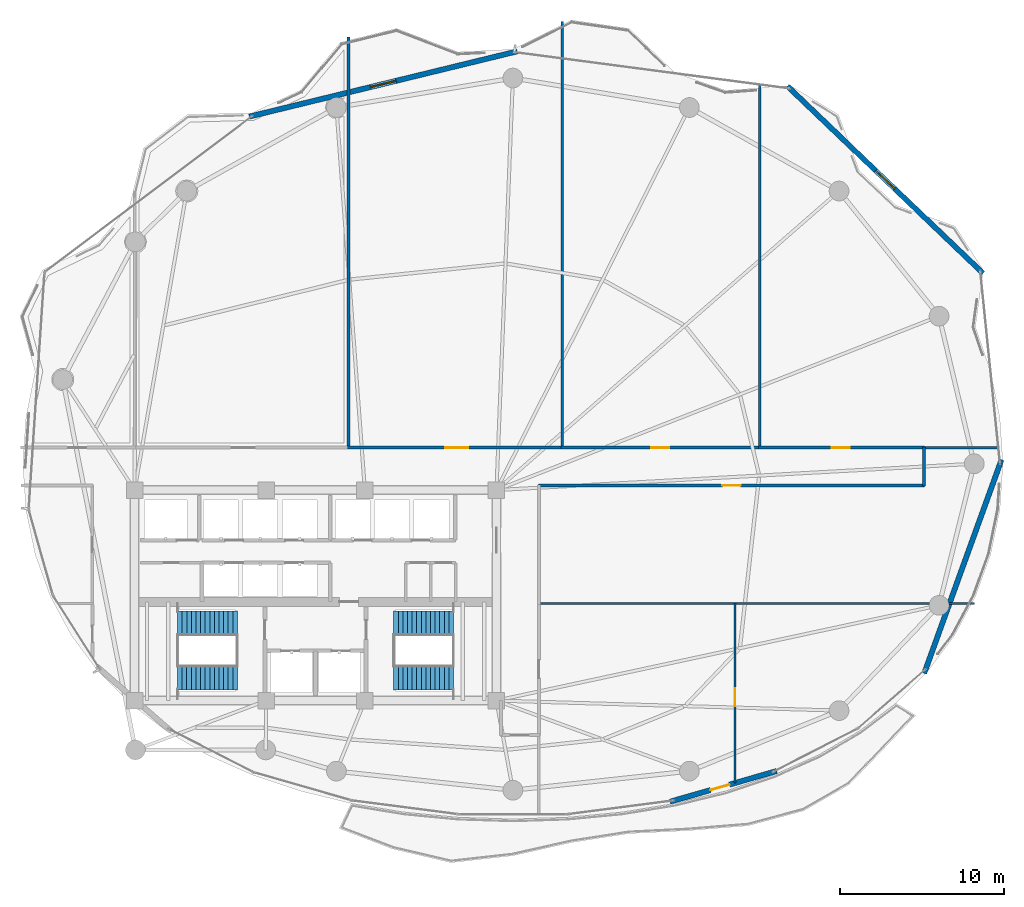
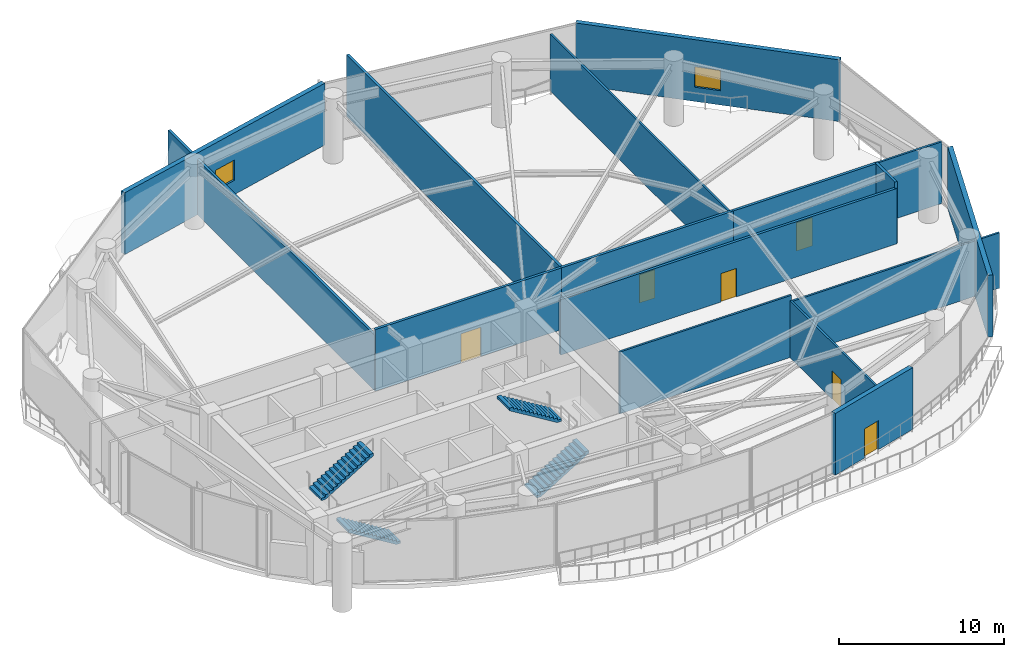
# One storey, part 26 of 30: 16 walls, 6 doors, 4 stair flights, 2 windows, 8 openings, 2 elements without a shape of their own.
"""IFC4 building model written with IfcOpenShell, lengths in metres."""

from ifc_helpers import new_model, si_unit, direction, frame, frame_2d, origin, place, context, subcontext, project, spatial, polyline, rectangle, outline, extrude, material, layer, layer_set, type_object, element, fill, aggregate, save


model = new_model("IFC4")

# Units and contexts
model_context = context("Model", 3, precision=1e-05, world=origin(), true_north=direction((0.0, 1.0)))
body_context = subcontext(model_context, "Body", "Model", "MODEL_VIEW")
ifc_project = project(units=[si_unit("LENGTHUNIT", "METRE"), si_unit("AREAUNIT", "SQUARE_METRE"), si_unit("VOLUMEUNIT", "CUBIC_METRE"), si_unit("PLANEANGLEUNIT", "RADIAN"), si_unit("MASSUNIT", "GRAM", prefix="KILO")], contexts=[model_context])

# Site, building, storey
site_placement = place(None, origin())
site = spatial("IfcSite", under=ifc_project, at=site_placement, CompositionType="ELEMENT")
building_placement = place(site_placement, origin())
building = spatial("IfcBuilding", under=site, at=building_placement, Name="Kazevale Care Tower and Concert Hall", CompositionType="ELEMENT")
storey_placement = place(building_placement, frame((0.0, 0.0, 97.800048828125)))
storey = spatial("IfcBuildingStorey", under=building, at=storey_placement, Name="L25", CompositionType="ELEMENT", Elevation=97.800048828125)

# Walls
ifc_material_1 = material(Name="Acoustic Gypsum on Steel Stud", Category="steel")
ifc_layer_1 = layer(ifc_material_1, 0.139892578125)
ifc_layer_set_1 = layer_set([ifc_layer_1], Name="Acoustic Gypsum on Steel Stud")
wall_type_1 = type_object("IfcWallType", Name="Acoustic Care & Suite Partition 140", PredefinedType="PARTITIONING", material=ifc_layer_set_1)
wall_1_placement = place(storey_placement, frame((60.0, 61.052001953125, 0.0), z_axis=(0.0, 0.0, 1.0), x_axis=(0.0, -1.0, 0.0)))
element("IfcWall", 1, at=wall_1_placement, inside=storey, type_object=wall_type_1, Name="wall:L25:auto_018", PredefinedType="PARTITIONING", context=body_context, shape_type="SweptSolid", body=[
    extrude(rectangle(XDim=22.10693359375, YDim=0.139892578125, at=frame_2d((11.053466796875, 0.0))), origin(), (0.0, 0.0, 1.0), 4.196044921875),
])
wall_2_placement = place(storey_placement, frame((74.51025390625, 38.97509765625, 0.0), z_axis=(0.0, 0.0, 1.0), x_axis=(-1.0, 0.0, 0.0)))
element("IfcWall", 2, at=wall_2_placement, inside=storey, type_object=wall_type_1, Name="wall:L25:auto_019", PredefinedType="PARTITIONING", context=body_context, shape_type="SweptSolid", body=[
    extrude(rectangle(XDim=4.5751953125, YDim=0.139892578125, at=frame_2d((2.28759765625, 0.0))), origin(), (0.0, 0.0, 1.0), 4.56005859375),
])
wall_3_placement = place(storey_placement, frame((46.544921875, 29.5, 0.0), z_axis=(0.0, 0.0, 1.0), x_axis=(1.0, 0.0, 0.0)))
element("IfcWall", 3, at=wall_3_placement, inside=storey, type_object=wall_type_1, Name="wall:L25:auto_020", PredefinedType="PARTITIONING", context=body_context, shape_type="SweptSolid", body=[
    extrude(rectangle(XDim=11.985107421875, YDim=0.139892578125, at=frame_2d((5.99267578125, 0.0))), origin(), (0.0, 0.0, 1.0), 4.56005859375),
])

# Wall, opening, door
wall_4_placement = place(storey_placement, frame((58.5, 29.530029296875, 0.0), z_axis=(0.0, 0.0, 1.0), x_axis=(0.0, -1.0, 0.0)))
wall_4 = element("IfcWall", 4, at=wall_4_placement, inside=storey, type_object=wall_type_1, Name="wall:L25:auto_021", PredefinedType="PARTITIONING", context=body_context, shape_type="SweptSolid", body=[
    extrude(rectangle(XDim=10.93310546875, YDim=0.139892578125, at=frame_2d((5.466552734375, 0.0))), origin(), (0.0, 0.0, 1.0), 4.196044921875),
])
opening_1_placement = place(wall_4_placement, frame((5.1650390625, 0.0, 0.0)))
opening_1 = element("IfcOpeningElement", 5, at=opening_1_placement, cuts=wall_4, Name="Opening ID-1100", PredefinedType="OPENING", context=body_context, shape_type="SweptSolid", body=[
    extrude(rectangle(XDim=1.10009765625, YDim=2.10009765625, at=frame_2d((0.550048828125, 1.050048828125))), frame((0.0, 0.079833984375, 0.0), z_axis=(0.0, -1.0, 0.0), x_axis=(1.0, 0.0, 0.0)), (0.0, 0.0, 1.0), 0.159912109375),
])
ifc_material_2 = material(Name="Oak Timber Fire Leaf", Category="wood")
door_type_1 = type_object("IfcDoorType", Name="Care Bedroom Accessible Door 1100x2100", OperationType="NOTDEFINED", PredefinedType="DOOR", material=ifc_material_2)
door_1_placement = place(opening_1_placement, origin())
door_1 = element("IfcDoor", 6, at=door_1_placement, inside=storey, type_object=door_type_1, Name="door:L25:ad_021", OperationType="SINGLE_SWING_LEFT", OverallHeight=2.10009765625, OverallWidth=1.10009765625, PredefinedType="DOOR", context=body_context, shape_type="SweptSolid", body=[
    extrude(rectangle(XDim=1.10009765625, YDim=2.10009765625, at=frame_2d((0.550048828125, 1.050048828125))), frame((0.0, 0.02490234375, 0.0), z_axis=(0.0, -1.0, 0.0), x_axis=(1.0, 0.0, 0.0)), (0.0, 0.0, 1.0), 0.050048828125),
])
fill(opening_1, door_1)

# Wall
wall_5_placement = place(storey_placement, frame((73.072998046875, 29.5, 0.0), z_axis=(0.0, 0.0, 1.0), x_axis=(-1.0, 0.0, 0.0)))
element("IfcWall", 7, at=wall_5_placement, inside=storey, type_object=wall_type_1, Name="wall:L25:auto_023", PredefinedType="PARTITIONING", context=body_context, shape_type="SweptSolid", body=[
    extrude(rectangle(XDim=14.637939453125, YDim=0.139892578125, at=frame_2d((7.31884765625, 0.0))), origin(), (0.0, 0.0, 1.0), 4.08984375),
])

# Wall, opening, door
ifc_material_3 = material(Name="Concrete C40 and Acoustic Gypsum", Category="concrete")
ifc_layer_2 = layer(ifc_material_3, 0.179931640625)
ifc_layer_set_2 = layer_set([ifc_layer_2], Name="Concrete C40 and Acoustic Gypsum")
wall_type_2 = type_object("IfcWallType", Name="Fire-Rated Corridor & Party Wall 180", PredefinedType="PARTITIONING", material=ifc_layer_set_2)
wall_6_placement = place(storey_placement, frame((34.93505859375, 38.97509765625, 0.0), z_axis=(0.0, 0.0, 1.0), x_axis=(1.0, 0.0, 0.0)))
wall_6 = element("IfcWall", 8, at=wall_6_placement, inside=storey, type_object=wall_type_2, Name="wall:L25:auto_003", PredefinedType="PARTITIONING", context=body_context, shape_type="SweptSolid", body=[
    extrude(rectangle(XDim=13.1298828125, YDim=0.179931640625, at=frame_2d((6.56494140625, 0.0))), origin(), (0.0, 0.0, 1.0), 4.56005859375),
])
opening_2_placement = place(wall_6_placement, frame((5.965087890625, 0.0, 0.0)))
opening_2 = element("IfcOpeningElement", 9, at=opening_2_placement, cuts=wall_6, Name="Opening ID-1400D", PredefinedType="OPENING", context=body_context, shape_type="SweptSolid", body=[
    extrude(rectangle(XDim=1.39990234375, YDim=2.14990234375, at=frame_2d((0.699951171875, 1.074951171875))), frame((0.0, 0.099853515625, 0.0), z_axis=(0.0, -1.0, 0.0), x_axis=(1.0, 0.0, 0.0)), (0.0, 0.0, 1.0), 0.199951171875),
])
door_type_2 = type_object("IfcDoorType", Name="Double Lounge & Clinic Door 1400x2150", OperationType="NOTDEFINED", PredefinedType="DOOR", material=ifc_material_2)
door_2_placement = place(opening_2_placement, origin())
door_2 = element("IfcDoor", 10, at=door_2_placement, inside=storey, type_object=door_type_2, Name="door:L25:ad_003", OperationType="SINGLE_SWING_LEFT", OverallHeight=2.14990234375, OverallWidth=1.39990234375, PredefinedType="DOOR", context=body_context, shape_type="SweptSolid", body=[
    extrude(rectangle(XDim=1.39990234375, YDim=2.14990234375, at=frame_2d((0.699951171875, 1.074951171875))), frame((0.0, 0.02490234375, 0.0), z_axis=(0.0, -1.0, 0.0), x_axis=(1.0, 0.0, 0.0)), (0.0, 0.0, 1.0), 0.050048828125),
])
fill(opening_2, door_2)

wall_7_placement = place(storey_placement, frame((47.93505859375, 38.97509765625, 0.0), z_axis=(0.0, 0.0, 1.0), x_axis=(1.0, 0.0, 0.0)))
wall_7 = element("IfcWall", 11, at=wall_7_placement, inside=storey, type_object=wall_type_2, Name="wall:L25:auto_004", PredefinedType="PARTITIONING", context=body_context, shape_type="SweptSolid", body=[
    extrude(rectangle(XDim=12.1298828125, YDim=0.179931640625, at=frame_2d((6.06494140625, 0.0))), origin(), (0.0, 0.0, 1.0), 4.56005859375),
])
opening_3_placement = place(wall_7_placement, frame((5.465087890625, 0.0, 0.0)))
opening_3 = element("IfcOpeningElement", 12, at=opening_3_placement, cuts=wall_7, Name="Opening ID-1100", PredefinedType="OPENING", context=body_context, shape_type="SweptSolid", body=[
    extrude(rectangle(XDim=1.10009765625, YDim=2.10009765625, at=frame_2d((0.550048828125, 1.050048828125))), frame((0.0, 0.099853515625, 0.0), z_axis=(0.0, -1.0, 0.0), x_axis=(1.0, 0.0, 0.0)), (0.0, 0.0, 1.0), 0.199951171875),
])
door_3_placement = place(opening_3_placement, origin())
door_3 = element("IfcDoor", 13, at=door_3_placement, inside=storey, type_object=door_type_1, Name="door:L25:ad_004", OperationType="SINGLE_SWING_LEFT", OverallHeight=2.10009765625, OverallWidth=1.10009765625, PredefinedType="DOOR", context=body_context, shape_type="SweptSolid", body=[
    extrude(rectangle(XDim=1.10009765625, YDim=2.10009765625, at=frame_2d((0.550048828125, 1.050048828125))), frame((0.0, 0.02490234375, 0.0), z_axis=(0.0, -1.0, 0.0), x_axis=(1.0, 0.0, 0.0)), (0.0, 0.0, 1.0), 0.050048828125),
])
fill(opening_3, door_3)

wall_8_placement = place(storey_placement, frame((59.93505859375, 38.97509765625, 0.0), z_axis=(0.0, 0.0, 1.0), x_axis=(1.0, 0.0, 0.0)))
wall_8 = element("IfcWall", 14, at=wall_8_placement, inside=storey, type_object=wall_type_2, Name="wall:L25:auto_005", PredefinedType="PARTITIONING", context=body_context, shape_type="SweptSolid", body=[
    extrude(rectangle(XDim=10.094970703125, YDim=0.179931640625, at=frame_2d((5.04736328125, 0.0))), origin(), (0.0, 0.0, 1.0), 4.56005859375),
])
opening_4_placement = place(wall_8_placement, frame((4.447998046875, 0.0, 0.0)))
opening_4 = element("IfcOpeningElement", 15, at=opening_4_placement, cuts=wall_8, Name="Opening ID-1100", PredefinedType="OPENING", context=body_context, shape_type="SweptSolid", body=[
    extrude(rectangle(XDim=1.10009765625, YDim=2.10009765625, at=frame_2d((0.550048828125, 1.050048828125))), frame((0.0, 0.099853515625, 0.0), z_axis=(0.0, -1.0, 0.0), x_axis=(1.0, 0.0, 0.0)), (0.0, 0.0, 1.0), 0.199951171875),
])
door_4_placement = place(opening_4_placement, origin())
door_4 = element("IfcDoor", 16, at=door_4_placement, inside=storey, type_object=door_type_1, Name="door:L25:ad_005", OperationType="SINGLE_SWING_LEFT", OverallHeight=2.10009765625, OverallWidth=1.10009765625, PredefinedType="DOOR", context=body_context, shape_type="SweptSolid", body=[
    extrude(rectangle(XDim=1.10009765625, YDim=2.10009765625, at=frame_2d((0.550048828125, 1.050048828125))), frame((0.0, 0.02490234375, 0.0), z_axis=(0.0, -1.0, 0.0), x_axis=(1.0, 0.0, 0.0)), (0.0, 0.0, 1.0), 0.050048828125),
])
fill(opening_4, door_4)

wall_9_placement = place(storey_placement, frame((70.030029296875, 36.675048828125, 0.0), z_axis=(0.0, 0.0, 1.0), x_axis=(-1.0, 0.0, 0.0)))
wall_9 = element("IfcWall", 17, at=wall_9_placement, inside=storey, type_object=wall_type_2, Name="wall:L25:auto_007", PredefinedType="PARTITIONING", context=body_context, shape_type="SweptSolid", body=[
    extrude(rectangle(XDim=23.485107421875, YDim=0.179931640625, at=frame_2d((11.74267578125, 0.0))), origin(), (0.0, 0.0, 1.0), 4.08984375),
])
opening_5_placement = place(wall_9_placement, frame((11.19189453125, 0.0, 0.0)))
opening_5 = element("IfcOpeningElement", 18, at=opening_5_placement, cuts=wall_9, Name="Opening ID-1100", PredefinedType="OPENING", context=body_context, shape_type="SweptSolid", body=[
    extrude(rectangle(XDim=1.10009765625, YDim=2.10009765625, at=frame_2d((0.550048828125, 1.050048828125))), frame((0.0, 0.099853515625, 0.0), z_axis=(0.0, -1.0, 0.0), x_axis=(1.0, 0.0, 0.0)), (0.0, 0.0, 1.0), 0.199951171875),
])
door_5_placement = place(opening_5_placement, origin())
door_5 = element("IfcDoor", 19, at=door_5_placement, inside=storey, type_object=door_type_1, Name="door:L25:ad_007", OperationType="SINGLE_SWING_LEFT", OverallHeight=2.10009765625, OverallWidth=1.10009765625, PredefinedType="DOOR", context=body_context, shape_type="SweptSolid", body=[
    extrude(rectangle(XDim=1.10009765625, YDim=2.10009765625, at=frame_2d((0.550048828125, 1.050048828125))), frame((0.0, 0.02490234375, 0.0), z_axis=(0.0, -1.0, 0.0), x_axis=(1.0, 0.0, 0.0)), (0.0, 0.0, 1.0), 0.050048828125),
])
fill(opening_5, door_5)

# Walls
wall_10_placement = place(storey_placement, frame((70.0, 39.0048828125, 0.0), z_axis=(0.0, 0.0, 1.0), x_axis=(0.0, -1.0, 0.0)))
element("IfcWall", 20, at=wall_10_placement, inside=storey, type_object=wall_type_2, Name="wall:L25:auto_009", PredefinedType="PARTITIONING", context=body_context, shape_type="SweptSolid", body=[
    extrude(rectangle(XDim=2.35986328125, YDim=0.179931640625, at=frame_2d((1.179931640625, 0.0))), origin(), (0.0, 0.0, 1.0), 4.56005859375),
])
wall_11_placement = place(storey_placement, frame((35.0, 63.94091796875, 0.0), z_axis=(0.0, 0.0, 1.0), x_axis=(0.0, -1.0, 0.0)))
element("IfcWall", 21, at=wall_11_placement, inside=storey, type_object=wall_type_2, Name="wall:L25:auto_016", PredefinedType="PARTITIONING", context=body_context, shape_type="SweptSolid", body=[
    extrude(rectangle(XDim=24.995849609375, YDim=0.179931640625, at=frame_2d((12.498046875, 0.0))), origin(), (0.0, 0.0, 1.0), 4.08984375),
])
wall_12_placement = place(storey_placement, frame((48.0, 64.8798828125, 0.0), z_axis=(0.0, 0.0, 1.0), x_axis=(0.0, -1.0, 0.0)))
element("IfcWall", 22, at=wall_12_placement, inside=storey, type_object=wall_type_2, Name="wall:L25:auto_017", PredefinedType="PARTITIONING", context=body_context, shape_type="SweptSolid", body=[
    extrude(rectangle(XDim=25.934814453125, YDim=0.179931640625, at=frame_2d((12.96728515625, 0.0))), origin(), (0.0, 0.0, 1.0), 4.56005859375),
])
ifc_material_4 = material(Name="Concrete C40 with Honed Limestone Cladding", Category="masonry")
ifc_layer_3 = layer(ifc_material_4, 0.320068359375)
ifc_layer_set_3 = layer_set([ifc_layer_3], Name="Concrete C40 with Honed Limestone Cladding")
wall_type_3 = type_object("IfcWallType", Name="Tower Honed Limestone Spandrel Wall 320", PredefinedType="STANDARD", material=ifc_layer_set_3)
wall_13_placement = place(storey_placement, frame((74.7080078125, 38.243896484375, 0.0), z_axis=(0.0, 0.0, 1.0), x_axis=(-0.340324669139, -0.94030799187, 0.0)))
element("IfcWall", 23, at=wall_13_placement, inside=storey, type_object=wall_type_3, Name="wall:cw:L25:f01", PredefinedType="STANDARD", context=body_context, shape_type="SweptSolid", body=[
    extrude(rectangle(XDim=13.810302734375, YDim=0.320068359375, at=frame_2d((6.9052734375, 0.0))), origin(), (0.0, 0.0, 1.0), 4.56005859375),
])

# Wall, opening, door
wall_14_placement = place(storey_placement, frame((61.0390625, 19.31689453125, 0.0), z_axis=(0.0, 0.0, 1.0), x_axis=(-0.96106509915, -0.276322049784, 0.0)))
wall_14 = element("IfcWall", 24, at=wall_14_placement, inside=storey, type_object=wall_type_3, Name="wall:L25:bal_host", PredefinedType="STANDARD", context=body_context, shape_type="SweptSolid", body=[
    extrude(rectangle(XDim=6.745849609375, YDim=0.320068359375, at=frame_2d((3.373046875, 0.0))), origin(), (0.0, 0.0, 1.0), 4.56005859375),
])
opening_6_placement = place(wall_14_placement, frame((2.992919921875, 0.0, 0.0)))
opening_6 = element("IfcOpeningElement", 25, at=opening_6_placement, cuts=wall_14, Name="Opening BD-1200", PredefinedType="OPENING", context=body_context, shape_type="SweptSolid", body=[
    extrude(rectangle(XDim=1.199951171875, YDim=2.14990234375, at=frame_2d((0.60009765625, 1.074951171875))), frame((0.0, 0.169921875, 0.0), z_axis=(0.0, -1.0, 0.0), x_axis=(1.0, 0.0, 0.0)), (0.0, 0.0, 1.0), 0.340087890625),
])
ifc_material_5 = material(Name="Aluminium 6063-T6 and Low-E Glass", Category="aluminium")
door_type_3 = type_object("IfcDoorType", Name="Sheltered Balcony Glazed Door 1200x2150", OperationType="NOTDEFINED", PredefinedType="DOOR", material=ifc_material_5)
door_6_placement = place(opening_6_placement, origin())
door_6 = element("IfcDoor", 26, at=door_6_placement, inside=storey, type_object=door_type_3, Name="door:L25:BD-1", OperationType="SINGLE_SWING_LEFT", OverallHeight=2.14990234375, OverallWidth=1.199951171875, PredefinedType="DOOR", context=body_context, shape_type="SweptSolid", body=[
    extrude(rectangle(XDim=1.199951171875, YDim=2.14990234375, at=frame_2d((0.60009765625, 1.074951171875))), frame((0.0, 0.02490234375, 0.0), z_axis=(0.0, -1.0, 0.0), x_axis=(1.0, 0.0, 0.0)), (0.0, 0.0, 1.0), 0.050048828125),
])
fill(opening_6, door_6)

# Wall, opening, window
wall_15_placement = place(storey_placement, frame((28.97412109375, 59.10693359375, 0.0), z_axis=(0.0, 0.0, 1.0), x_axis=(0.971593971582, 0.236654081699, 0.0)))
wall_15 = element("IfcWall", 27, at=wall_15_placement, inside=storey, type_object=wall_type_3, Name="wall:L25:cbox:15", PredefinedType="STANDARD", context=body_context, shape_type="SweptSolid", body=[
    extrude(rectangle(XDim=16.762939453125, YDim=0.320068359375, at=frame_2d((8.38134765625, 0.0))), origin(), (0.0, 0.0, 1.0), 4.56005859375),
])
opening_7_placement = place(wall_15_placement, frame((7.5810546875, 0.0, 1.050048828125)))
opening_7 = element("IfcOpeningElement", 28, at=opening_7_placement, cuts=wall_15, Name="Opening WIN-1", PredefinedType="OPENING", context=body_context, shape_type="SweptSolid", body=[
    extrude(rectangle(XDim=1.60009765625, YDim=1.5, at=frame_2d((0.800048828125, 0.75))), frame((0.0, 0.169921875, 0.0), z_axis=(0.0, -1.0, 0.0), x_axis=(1.0, 0.0, 0.0)), (0.0, 0.0, 1.0), 0.340087890625),
])
ifc_material_6 = material(Name="Low-E Laminated Glass", Category="glass")
window_type = type_object("IfcWindowType", Name="Convex Box Deep-Set Window 1600x1500", PartitioningType="DOUBLE_PANEL_VERTICAL", PredefinedType="WINDOW", material=ifc_material_6)
window_1_placement = place(opening_7_placement, origin())
window_1 = element("IfcWindow", 29, at=window_1_placement, inside=storey, type_object=window_type, Name="win:L25:cbox:15", OverallHeight=1.5, OverallWidth=1.60009765625, PartitioningType="SINGLE_PANEL", PredefinedType="WINDOW", context=body_context, shape_type="SweptSolid", body=[
    extrude(rectangle(XDim=1.60009765625, YDim=1.5, at=frame_2d((0.800048828125, 0.75))), frame((0.0, 0.030029296875, 0.0), z_axis=(0.0, -1.0, 0.0), x_axis=(1.0, 0.0, 0.0)), (0.0, 0.0, 1.0), 0.06005859375),
])
fill(opening_7, window_1)

wall_16_placement = place(storey_placement, frame((61.68896484375, 60.95703125, 0.0), z_axis=(0.0, 0.0, 1.0), x_axis=(0.722641212534, -0.691223319881, 0.0)))
wall_16 = element("IfcWall", 30, at=wall_16_placement, inside=storey, type_object=wall_type_3, Name="wall:L25:cbox:17", PredefinedType="STANDARD", context=body_context, shape_type="SweptSolid", body=[
    extrude(rectangle(XDim=16.45068359375, YDim=0.320068359375, at=frame_2d((8.225341796875, 0.0))), origin(), (0.0, 0.0, 1.0), 4.56005859375),
])
opening_8_placement = place(wall_16_placement, frame((7.425048828125, 0.0, 1.050048828125)))
opening_8 = element("IfcOpeningElement", 31, at=opening_8_placement, cuts=wall_16, Name="Opening WIN-1", PredefinedType="OPENING", context=body_context, shape_type="SweptSolid", body=[
    extrude(rectangle(XDim=1.60009765625, YDim=1.5, at=frame_2d((0.800048828125, 0.75))), frame((0.0, 0.169921875, 0.0), z_axis=(0.0, -1.0, 0.0), x_axis=(1.0, 0.0, 0.0)), (0.0, 0.0, 1.0), 0.340087890625),
])
window_2_placement = place(opening_8_placement, origin())
window_2 = element("IfcWindow", 32, at=window_2_placement, inside=storey, type_object=window_type, Name="win:L25:cbox:17", OverallHeight=1.5, OverallWidth=1.60009765625, PartitioningType="SINGLE_PANEL", PredefinedType="WINDOW", context=body_context, shape_type="SweptSolid", body=[
    extrude(rectangle(XDim=1.60009765625, YDim=1.5, at=frame_2d((0.800048828125, 0.75))), frame((0.0, 0.030029296875, 0.0), z_axis=(0.0, -1.0, 0.0), x_axis=(1.0, 0.0, 0.0)), (0.0, 0.0, 1.0), 0.06005859375),
])
fill(opening_8, window_2)

# Stair, stair flights
ifc_material_7 = material(Name="Concrete C40", Category="concrete")
stair_type = type_object("IfcStairType", Name="Exit Stair Assembly ST1-S", PredefinedType="HALF_TURN_STAIR", material=ifc_material_7)
stair_1_placement = place(storey_placement, origin())
stair_1 = element("IfcStair", 33, at=stair_1_placement, inside=storey, type_object=stair_type, Name="stair:L25:ST1", PredefinedType="HALF_TURN_STAIR")
ifc_layer_4 = layer(ifc_material_7, 0.159912109375)
ifc_layer_set_4 = layer_set([ifc_layer_4], Name="Concrete C40")
stair_flight_type = type_object("IfcStairFlightType", Name="Exit Stair Flight ST1-S", PredefinedType="STRAIGHT", material=ifc_layer_set_4)
stair_flight_1_placement = place(storey_placement, frame((28.25, 24.9951171875, 0.0), z_axis=(0.0, 0.0, 1.0), x_axis=(-1.0, 0.0, 0.0)))
stair_flight_1 = element("IfcStairFlight", 34, at=stair_flight_1_placement, type_object=stair_flight_type, Name="ST1-S flight 1", NumberOfRisers=14, NumberOfTreads=13, PredefinedType="STRAIGHT", RiserHeight=0.171429, TreadLength=0.28, context=body_context, shape_type="SweptSolid", body=[
    extrude(outline(polyline([(0.0, 0.0), (0.0, 0.17138671875), (0.280029296875, 0.17138671875), (0.280029296875, 0.3427734375), (0.56005859375, 0.3427734375), (0.56005859375, 0.514404296875), (0.840087890625, 0.514404296875), (0.840087890625, 0.685791015625), (1.1201171875, 0.685791015625), (1.1201171875, 0.857177734375), (1.39990234375, 0.857177734375), (1.39990234375, 1.028564453125), (1.679931640625, 1.028564453125), (1.679931640625, 1.199951171875), (1.9599609375, 1.199951171875), (1.9599609375, 1.371337890625), (2.239990234375, 1.371337890625), (2.239990234375, 1.54296875), (2.52001953125, 1.54296875), (2.52001953125, 1.71435546875), (2.800048828125, 1.71435546875), (2.800048828125, 1.8857421875), (3.080078125, 1.8857421875), (3.080078125, 2.05712890625), (3.360107421875, 2.05712890625), (3.360107421875, 2.228515625), (3.639892578125, 2.228515625), (3.639892578125, 2.39990234375), (3.639892578125, 2.041015625), (0.30615234375, 0.0), (0.0, 0.0)])), frame((0.0, 0.7451171875, 0.0), z_axis=(0.0, -1.0, 0.0), x_axis=(1.0, 0.0, 0.0)), (0.0, 0.0, 1.0), 1.489990234375),
])
stair_flight_2_placement = place(storey_placement, frame((24.610107421875, 28.304931640625, 2.39990234375), z_axis=(0.0, 0.0, 1.0), x_axis=(1.0, 0.0, 0.0)))
stair_flight_2 = element("IfcStairFlight", 35, at=stair_flight_2_placement, type_object=stair_flight_type, Name="ST1-S flight 2", NumberOfRisers=14, NumberOfTreads=13, PredefinedType="STRAIGHT", RiserHeight=0.171429, TreadLength=0.28, context=body_context, shape_type="SweptSolid", body=[
    extrude(outline(polyline([(0.0, 0.0), (0.0, 0.17138671875), (0.280029296875, 0.17138671875), (0.280029296875, 0.3427734375), (0.56005859375, 0.3427734375), (0.56005859375, 0.514404296875), (0.840087890625, 0.514404296875), (0.840087890625, 0.685791015625), (1.1201171875, 0.685791015625), (1.1201171875, 0.857177734375), (1.39990234375, 0.857177734375), (1.39990234375, 1.028564453125), (1.679931640625, 1.028564453125), (1.679931640625, 1.199951171875), (1.9599609375, 1.199951171875), (1.9599609375, 1.371337890625), (2.239990234375, 1.371337890625), (2.239990234375, 1.54296875), (2.52001953125, 1.54296875), (2.52001953125, 1.71435546875), (2.800048828125, 1.71435546875), (2.800048828125, 1.8857421875), (3.080078125, 1.8857421875), (3.080078125, 2.05712890625), (3.360107421875, 2.05712890625), (3.360107421875, 2.228515625), (3.639892578125, 2.228515625), (3.639892578125, 2.39990234375), (3.639892578125, 2.041015625), (0.30615234375, 0.0), (0.0, 0.0)])), frame((0.0, 0.7451171875, 0.0), z_axis=(0.0, -1.0, 0.0), x_axis=(1.0, 0.0, 0.0)), (0.0, 0.0, 1.0), 1.489990234375),
])
aggregate(stair_1, [stair_flight_1, stair_flight_2])

stair_2_placement = place(storey_placement, origin())
stair_2 = element("IfcStair", 36, at=stair_2_placement, inside=storey, type_object=stair_type, Name="stair:L25:ST2", PredefinedType="HALF_TURN_STAIR")
stair_flight_3_placement = place(storey_placement, frame((37.75, 24.9951171875, 0.0), z_axis=(0.0, 0.0, 1.0), x_axis=(1.0, 0.0, 0.0)))
stair_flight_3 = element("IfcStairFlight", 37, at=stair_flight_3_placement, type_object=stair_flight_type, Name="ST1-S flight 1", NumberOfRisers=14, NumberOfTreads=13, PredefinedType="STRAIGHT", RiserHeight=0.171429, TreadLength=0.28, context=body_context, shape_type="SweptSolid", body=[
    extrude(outline(polyline([(0.0, 0.0), (0.0, 0.17138671875), (0.280029296875, 0.17138671875), (0.280029296875, 0.3427734375), (0.56005859375, 0.3427734375), (0.56005859375, 0.514404296875), (0.840087890625, 0.514404296875), (0.840087890625, 0.685791015625), (1.1201171875, 0.685791015625), (1.1201171875, 0.857177734375), (1.39990234375, 0.857177734375), (1.39990234375, 1.028564453125), (1.679931640625, 1.028564453125), (1.679931640625, 1.199951171875), (1.9599609375, 1.199951171875), (1.9599609375, 1.371337890625), (2.239990234375, 1.371337890625), (2.239990234375, 1.54296875), (2.52001953125, 1.54296875), (2.52001953125, 1.71435546875), (2.800048828125, 1.71435546875), (2.800048828125, 1.8857421875), (3.080078125, 1.8857421875), (3.080078125, 2.05712890625), (3.360107421875, 2.05712890625), (3.360107421875, 2.228515625), (3.639892578125, 2.228515625), (3.639892578125, 2.39990234375), (3.639892578125, 2.041015625), (0.30615234375, 0.0), (0.0, 0.0)])), frame((0.0, 0.7451171875, 0.0), z_axis=(0.0, -1.0, 0.0), x_axis=(1.0, 0.0, 0.0)), (0.0, 0.0, 1.0), 1.489990234375),
])
stair_flight_4_placement = place(storey_placement, frame((41.389892578125, 28.304931640625, 2.39990234375), z_axis=(0.0, 0.0, 1.0), x_axis=(-1.0, 0.0, 0.0)))
stair_flight_4 = element("IfcStairFlight", 38, at=stair_flight_4_placement, type_object=stair_flight_type, Name="ST1-S flight 2", NumberOfRisers=14, NumberOfTreads=13, PredefinedType="STRAIGHT", RiserHeight=0.171429, TreadLength=0.28, context=body_context, shape_type="SweptSolid", body=[
    extrude(outline(polyline([(0.0, 0.0), (0.0, 0.17138671875), (0.280029296875, 0.17138671875), (0.280029296875, 0.3427734375), (0.56005859375, 0.3427734375), (0.56005859375, 0.514404296875), (0.840087890625, 0.514404296875), (0.840087890625, 0.685791015625), (1.1201171875, 0.685791015625), (1.1201171875, 0.857177734375), (1.39990234375, 0.857177734375), (1.39990234375, 1.028564453125), (1.679931640625, 1.028564453125), (1.679931640625, 1.199951171875), (1.9599609375, 1.199951171875), (1.9599609375, 1.371337890625), (2.239990234375, 1.371337890625), (2.239990234375, 1.54296875), (2.52001953125, 1.54296875), (2.52001953125, 1.71435546875), (2.800048828125, 1.71435546875), (2.800048828125, 1.8857421875), (3.080078125, 1.8857421875), (3.080078125, 2.05712890625), (3.360107421875, 2.05712890625), (3.360107421875, 2.228515625), (3.639892578125, 2.228515625), (3.639892578125, 2.39990234375), (3.639892578125, 2.041015625), (0.30615234375, 0.0), (0.0, 0.0)])), frame((0.0, 0.7451171875, 0.0), z_axis=(0.0, -1.0, 0.0), x_axis=(1.0, 0.0, 0.0)), (0.0, 0.0, 1.0), 1.489990234375),
])
aggregate(stair_2, [stair_flight_3, stair_flight_4])

save(model, "model.ifc")
